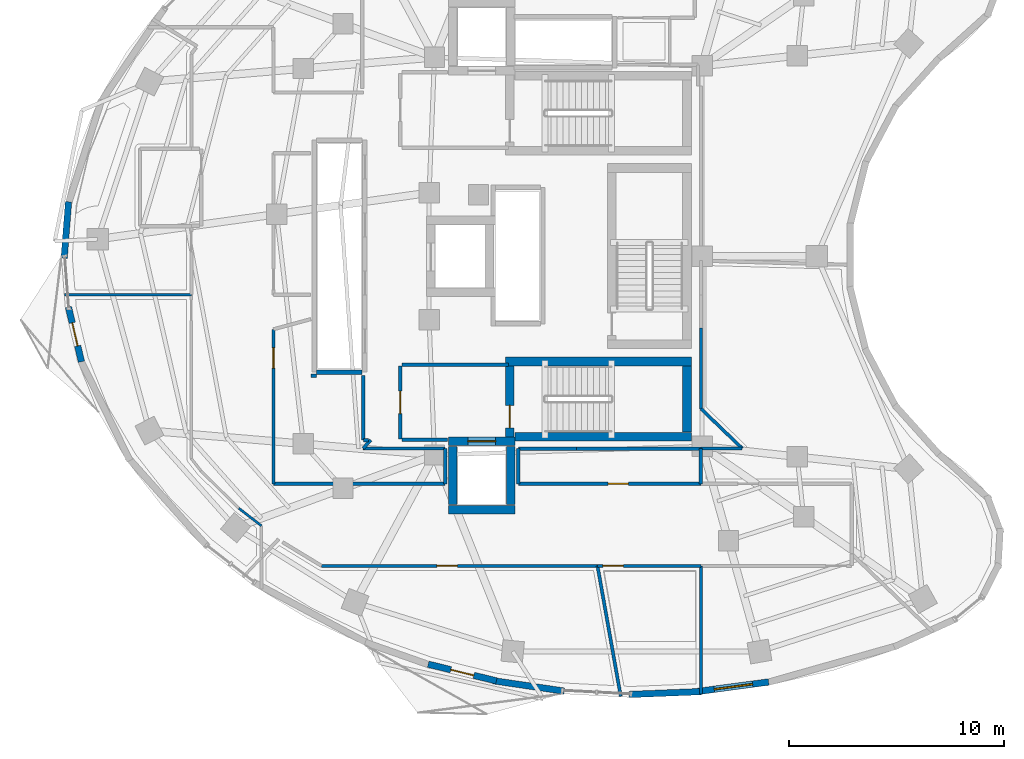
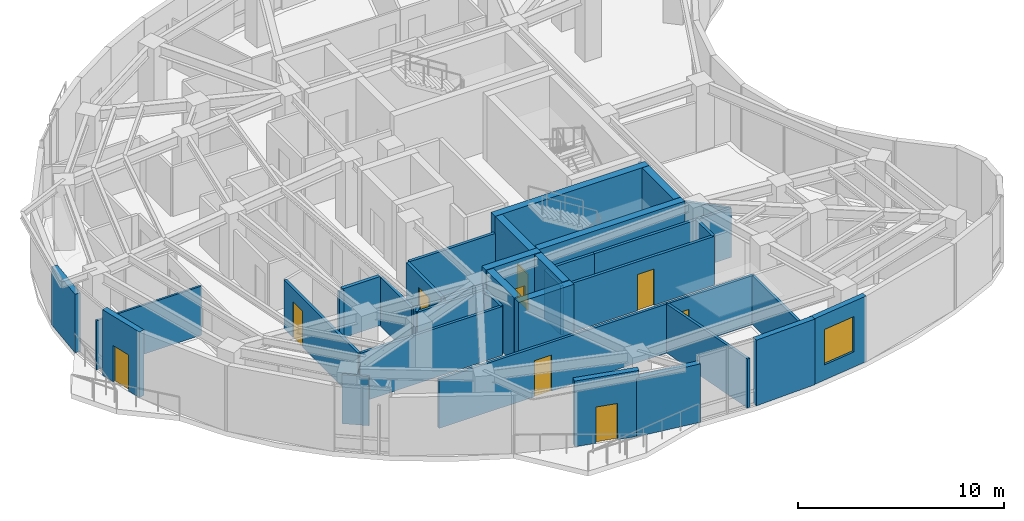
# One storey, part 7 of 13: 40 walls, 9 doors, 1 window, 10 openings.
"""IFC4 building model written with IfcOpenShell, lengths in metres."""

from ifc_helpers import new_model, si_unit, direction, frame, frame_2d, origin, place, context, subcontext, project, spatial, rectangle, extrude, material, layer, layer_set, type_object, element, fill, save


model = new_model("IFC4")

# Units and contexts
model_context = context("Model", 3, precision=1e-05, world=origin(), true_north=direction((0.0, 1.0)))
body_context = subcontext(model_context, "Body", "Model", "MODEL_VIEW")
ifc_project = project(units=[si_unit("LENGTHUNIT", "METRE"), si_unit("AREAUNIT", "SQUARE_METRE"), si_unit("VOLUMEUNIT", "CUBIC_METRE"), si_unit("PLANEANGLEUNIT", "RADIAN"), si_unit("MASSUNIT", "GRAM", prefix="KILO")], contexts=[model_context])

# Site, building, storey
site_placement = place(None, origin())
site = spatial("IfcSite", under=ifc_project, at=site_placement, CompositionType="ELEMENT")
building_placement = place(site_placement, origin())
building = spatial("IfcBuilding", under=site, at=building_placement, Name="Korentha Bioscience Tower", CompositionType="ELEMENT")
storey_placement = place(building_placement, frame((0.0, 0.0, 158.39990234375)))
storey = spatial("IfcBuildingStorey", under=building, at=storey_placement, Name="L36", CompositionType="ELEMENT", Elevation=158.39990234375)

# Wall, opening, door
ifc_material_1 = material(Name="Double-Stud Acoustic Gypsum", Category="gypsum")
ifc_layer_1 = layer(ifc_material_1, 0.14990234375, Name="Double-Stud Acoustic Gypsum")
ifc_layer_set_1 = layer_set([ifc_layer_1], Name="Double-Stud Acoustic Gypsum (IW-L150)")
wall_type_1 = type_object("IfcWallType", Name="Acoustic Laboratory Partition Wall 150", PredefinedType="PARTITIONING", material=ifc_layer_set_1)
wall_1_placement = place(storey_placement, frame((17.610107421875, 16.409912109375, 0.0), z_axis=(0.0, 0.0, 1.0), x_axis=(0.0, 1.0, 0.0)))
wall_1 = element("IfcWall", 1, at=wall_1_placement, inside=storey, type_object=wall_type_1, Name="L36 Research Colloquium Seminar Room 02 Entrance Wall", PredefinedType="PARTITIONING", context=body_context, shape_type="SweptSolid", body=[
    extrude(rectangle(XDim=7.18896484375, YDim=0.14990234375, at=frame_2d((3.594482421875, 0.0))), origin(), (0.0, 0.0, 1.0), 2.91015625),
])
opening_1_placement = place(wall_1_placement, frame((5.376953125, 0.0, 0.0)))
opening_1 = element("IfcOpeningElement", 2, at=opening_1_placement, cuts=wall_1, Name="Opening ID-10L", PredefinedType="OPENING", context=body_context, shape_type="SweptSolid", body=[
    extrude(rectangle(XDim=0.949951171875, YDim=2.14990234375, at=frame_2d((0.47509765625, 1.074951171875))), frame((0.0, 0.08984375, 0.0), z_axis=(0.0, -1.0, 0.0), x_axis=(1.0, 0.0, 0.0)), (0.0, 0.0, 1.0), 0.1796875),
])
ifc_material_2 = material(Name="Phenolic Laminate Timber Core", Category="wood")
door_type_1 = type_object("IfcDoorType", Name="Laboratory Single Leaf Door 950x2150 Left", OperationType="SINGLE_SWING_LEFT", PredefinedType="DOOR", material=ifc_material_2)
door_1_placement = place(opening_1_placement, origin())
door_1 = element("IfcDoor", 3, at=door_1_placement, inside=storey, type_object=door_type_1, Name="L36 Research Colloquium Seminar Room 02 Door", OperationType="SINGLE_SWING_LEFT", OverallHeight=2.14990234375, OverallWidth=0.949951171875, PredefinedType="DOOR", context=body_context, shape_type="SweptSolid", body=[
    extrude(rectangle(XDim=0.949951171875, YDim=2.14990234375, at=frame_2d((0.47509765625, 1.074951171875))), frame((0.0, 0.02490234375, 0.0), z_axis=(0.0, -1.0, 0.0), x_axis=(1.0, 0.0, 0.0)), (0.0, 0.0, 1.0), 0.050048828125),
])
fill(opening_1, door_1)

wall_2_placement = place(storey_placement, frame((19.849853515625, 12.590087890625, 0.0), z_axis=(0.0, 0.0, 1.0), x_axis=(1.0, 0.0, 0.0)))
wall_2 = element("IfcWall", 4, at=wall_2_placement, inside=storey, type_object=wall_type_1, Name="L36 Staff Pantry Kitchenette 03 Entrance Wall", PredefinedType="PARTITIONING", context=body_context, shape_type="SweptSolid", body=[
    extrude(rectangle(XDim=12.83544921875, YDim=0.14990234375, at=frame_2d((6.417724609375, 0.0))), origin(), (0.0, 0.0, 1.0), 2.91015625),
])
opening_2_placement = place(wall_2_placement, frame((5.365234375, 0.0, 0.0)))
opening_2 = element("IfcOpeningElement", 5, at=opening_2_placement, cuts=wall_2, Name="Opening ID-10R", PredefinedType="OPENING", context=body_context, shape_type="SweptSolid", body=[
    extrude(rectangle(XDim=0.949951171875, YDim=2.14990234375, at=frame_2d((0.47509765625, 1.074951171875))), frame((0.0, 0.08984375, 0.0), z_axis=(0.0, -1.0, 0.0), x_axis=(1.0, 0.0, 0.0)), (0.0, 0.0, 1.0), 0.1796875),
])
door_type_2 = type_object("IfcDoorType", Name="Laboratory Single Leaf Door 950x2150 Right", OperationType="SINGLE_SWING_RIGHT", PredefinedType="DOOR", material=ifc_material_2)
door_2_placement = place(opening_2_placement, origin())
door_2 = element("IfcDoor", 6, at=door_2_placement, inside=storey, type_object=door_type_2, Name="L36 Staff Pantry Kitchenette 03 Door", OperationType="SINGLE_SWING_RIGHT", OverallHeight=2.14990234375, OverallWidth=0.949951171875, PredefinedType="DOOR", context=body_context, shape_type="SweptSolid", body=[
    extrude(rectangle(XDim=0.949951171875, YDim=2.14990234375, at=frame_2d((0.47509765625, 1.074951171875))), frame((0.0, 0.02490234375, 0.0), z_axis=(0.0, -1.0, 0.0), x_axis=(1.0, 0.0, 0.0)), (0.0, 0.0, 1.0), 0.050048828125),
])
fill(opening_2, door_2)

# Walls
wall_3_placement = place(storey_placement, frame((19.35009765625, 21.43994140625, 0.0), z_axis=(0.0, 0.0, 1.0), x_axis=(1.0, 0.0, 0.0)))
element("IfcWall", 7, at=wall_3_placement, inside=storey, type_object=wall_type_1, Name="L36 Interior Partition 028", PredefinedType="PARTITIONING", context=body_context, shape_type="SweptSolid", body=[
    extrude(rectangle(XDim=0.27001953125, YDim=0.14990234375, at=frame_2d((0.135009765625, 0.0))), origin(), (0.0, 0.0, 1.0), 2.91015625),
])
wall_4_placement = place(storey_placement, frame((21.7900390625, 21.43994140625, 0.0), z_axis=(0.0, 0.0, 1.0), x_axis=(0.0, -1.0, 0.0)))
element("IfcWall", 8, at=wall_4_placement, inside=storey, type_object=wall_type_1, Name="L36 Interior Partition 029", PredefinedType="PARTITIONING", context=body_context, shape_type="SweptSolid", body=[
    extrude(rectangle(XDim=2.989990234375, YDim=0.14990234375, at=frame_2d((1.4951171875, 0.0))), origin(), (0.0, 0.0, 1.0), 2.91015625),
])
wall_5_placement = place(storey_placement, frame((21.800048828125, 18.43994140625, 0.0), z_axis=(0.0, 0.0, 1.0), x_axis=(1.0, 0.0, 0.0)))
element("IfcWall", 9, at=wall_5_placement, inside=storey, type_object=wall_type_1, Name="L36 Interior Partition 030", PredefinedType="PARTITIONING", context=body_context, shape_type="SweptSolid", body=[
    extrude(rectangle(XDim=0.228759765625, YDim=0.14990234375, at=frame_2d((0.1142578125, 0.0))), origin(), (0.0, 0.0, 1.0), 2.91015625),
])
wall_6_placement = place(storey_placement, frame((22.13525390625, 18.43994140625, 0.0), z_axis=(0.0, 0.0, 1.0), x_axis=(-0.68187219697, -0.731471330265, 0.0)))
element("IfcWall", 10, at=wall_6_placement, inside=storey, type_object=wall_type_1, Name="L36 Interior Partition 031", PredefinedType="PARTITIONING", context=body_context, shape_type="SweptSolid", body=[
    extrude(rectangle(XDim=0.526611328125, YDim=0.14990234375, at=frame_2d((0.26318359375, 0.0))), origin(), (0.0, 0.0, 1.0), 2.91015625),
])
wall_7_placement = place(storey_placement, frame((21.779052734375, 18.048095703125, 0.0), z_axis=(0.0, 0.0, 1.0), x_axis=(1.0, 0.0, 0.0)))
element("IfcWall", 11, at=wall_7_placement, inside=storey, type_object=wall_type_1, Name="L36 Interior Partition 032", PredefinedType="PARTITIONING", context=body_context, shape_type="SweptSolid", body=[
    extrude(rectangle(XDim=3.82080078125, YDim=0.14990234375, at=frame_2d((1.910400390625, 0.0))), origin(), (0.0, 0.0, 1.0), 2.91015625),
])
wall_8_placement = place(storey_placement, frame((25.60009765625, 18.0478515625, 0.0), z_axis=(0.0, 0.0, 1.0), x_axis=(0.0, -1.0, 0.0)))
element("IfcWall", 12, at=wall_8_placement, inside=storey, type_object=wall_type_1, Name="L36 Interior Partition 033", PredefinedType="PARTITIONING", context=body_context, shape_type="SweptSolid", body=[
    extrude(rectangle(XDim=1.637939453125, YDim=0.14990234375, at=frame_2d((0.81884765625, 0.0))), origin(), (0.0, 0.0, 1.0), 2.91015625),
])
wall_9_placement = place(storey_placement, frame((25.60009765625, 16.409912109375, 0.0), z_axis=(0.0, 0.0, 1.0), x_axis=(-1.0, 0.0, 0.0)))
element("IfcWall", 13, at=wall_9_placement, inside=storey, type_object=wall_type_1, Name="L36 Interior Partition 034", PredefinedType="PARTITIONING", context=body_context, shape_type="SweptSolid", body=[
    extrude(rectangle(XDim=7.989990234375, YDim=0.14990234375, at=frame_2d((3.9951171875, 0.0))), origin(), (0.0, 0.0, 1.0), 2.91015625),
])
wall_10_placement = place(storey_placement, frame((32.685302734375, 12.590087890625, 0.0), z_axis=(0.0, 0.0, 1.0), x_axis=(0.175350659772, -0.984506041687, 0.0)))
element("IfcWall", 14, at=wall_10_placement, inside=storey, type_object=wall_type_1, Name="L36 Interior Partition 037", PredefinedType="PARTITIONING", context=body_context, shape_type="SweptSolid", body=[
    extrude(rectangle(XDim=6.1650390625, YDim=0.14990234375, at=frame_2d((3.08251953125, 0.0))), origin(), (0.0, 0.0, 1.0), 2.91015625),
])
wall_11_placement = place(storey_placement, frame((37.508056640625, 18.048095703125, 0.0), z_axis=(0.0, 0.0, 1.0), x_axis=(1.0, 0.0, 0.0)))
element("IfcWall", 15, at=wall_11_placement, inside=storey, type_object=wall_type_1, Name="L36 Interior Partition 049", PredefinedType="PARTITIONING", context=body_context, shape_type="SweptSolid", body=[
    extrude(rectangle(XDim=1.907958984375, YDim=0.14990234375, at=frame_2d((0.9541015625, 0.0))), origin(), (0.0, 0.0, 1.0), 2.91015625),
])
wall_12_placement = place(storey_placement, frame((39.418701171875, 18.054931640625, 0.0), z_axis=(0.0, 0.0, 1.0), x_axis=(-0.720561375154, 0.693391162791, 0.0)))
element("IfcWall", 16, at=wall_12_placement, inside=storey, type_object=wall_type_1, Name="L36 Interior Partition 050", PredefinedType="PARTITIONING", context=body_context, shape_type="SweptSolid", body=[
    extrude(rectangle(XDim=2.65966796875, YDim=0.14990234375, at=frame_2d((1.329833984375, 0.0))), origin(), (0.0, 0.0, 1.0), 2.91015625),
])
wall_13_placement = place(storey_placement, frame((37.501953125, 19.8994140625, 0.0), z_axis=(0.0, 0.0, 1.0), x_axis=(0.0, 1.0, 0.0)))
element("IfcWall", 17, at=wall_13_placement, inside=storey, type_object=wall_type_1, Name="L36 Interior Partition 051", PredefinedType="PARTITIONING", context=body_context, shape_type="SweptSolid", body=[
    extrude(rectangle(XDim=3.74853515625, YDim=0.14990234375, at=frame_2d((1.874267578125, 0.0))), origin(), (0.0, 0.0, 1.0), 2.91015625),
])

# Wall, opening, door
ifc_material_3 = material(Name="Insulated Aluminium Honeycomb Panel", Category="aluminium")
ifc_layer_2 = layer(ifc_material_3, 0.139892578125, Name="Insulated Aluminium Honeycomb Panel")
ifc_layer_set_2 = layer_set([ifc_layer_2], Name="Insulated Aluminium Honeycomb Panel (IW-F60)")
wall_type_2 = type_object("IfcWallType", Name="Cleanroom Flush Metal Panel Partition 140", PredefinedType="PARTITIONING", material=ifc_layer_set_2)
wall_14_placement = place(storey_placement, frame((32.6953125, 12.590087890625, 0.0), z_axis=(0.0, 0.0, 1.0), x_axis=(1.0, 0.0, 0.0)))
wall_14 = element("IfcWall", 18, at=wall_14_placement, inside=storey, type_object=wall_type_2, Name="L36 Airlock Gowning Anteroom 05 Entrance Wall", PredefinedType="PARTITIONING", context=body_context, shape_type="SweptSolid", body=[
    extrude(rectangle(XDim=4.802734375, YDim=0.139892578125, at=frame_2d((2.4013671875, 0.0))), origin(), (0.0, 0.0, 1.0), 2.91015625),
])
opening_3_placement = place(wall_14_placement, frame((0.239990234375, 0.0, 0.0)))
opening_3 = element("IfcOpeningElement", 19, at=opening_3_placement, cuts=wall_14, Name="Opening ID-10R", PredefinedType="OPENING", context=body_context, shape_type="SweptSolid", body=[
    extrude(rectangle(XDim=0.949951171875, YDim=2.14990234375, at=frame_2d((0.47509765625, 1.074951171875))), frame((0.0, 0.0849609375, 0.0), z_axis=(0.0, -1.0, 0.0), x_axis=(1.0, 0.0, 0.0)), (0.0, 0.0, 1.0), 0.169677734375),
])
door_3_placement = place(opening_3_placement, origin())
door_3 = element("IfcDoor", 20, at=door_3_placement, inside=storey, type_object=door_type_2, Name="L36 Airlock Gowning Anteroom 05 Door", OperationType="SINGLE_SWING_RIGHT", OverallHeight=2.14990234375, OverallWidth=0.949951171875, PredefinedType="DOOR", context=body_context, shape_type="SweptSolid", body=[
    extrude(rectangle(XDim=0.949951171875, YDim=2.14990234375, at=frame_2d((0.47509765625, 1.074951171875))), frame((0.0, 0.02490234375, 0.0), z_axis=(0.0, -1.0, 0.0), x_axis=(1.0, 0.0, 0.0)), (0.0, 0.0, 1.0), 0.050048828125),
])
fill(opening_3, door_3)

# Walls
wall_15_placement = place(storey_placement, frame((37.498046875, 12.590087890625, 0.0), z_axis=(0.0, 0.0, 1.0), x_axis=(0.0, -1.0, 0.0)))
element("IfcWall", 21, at=wall_15_placement, inside=storey, type_object=wall_type_2, Name="L36 Interior Partition 044", PredefinedType="PARTITIONING", context=body_context, shape_type="SweptSolid", body=[
    extrude(rectangle(XDim=5.962890625, YDim=0.139892578125, at=frame_2d((2.9814453125, 0.0))), origin(), (0.0, 0.0, 1.0), 2.91015625),
])
ifc_material_4 = material(Name="Fire-Rated Framed Glass", Category="glass")
ifc_layer_3 = layer(ifc_material_4, 0.110107421875, Name="Fire-Rated Framed Glass")
ifc_layer_set_3 = layer_set([ifc_layer_3], Name="Fire-Rated Framed Glass (IW-G110)")
wall_type_3 = type_object("IfcWallType", Name="Demountable Glazed Office Partition 110", PredefinedType="MOVABLE", material=ifc_layer_set_3)
wall_16_placement = place(storey_placement, frame((7.89794921875, 25.197998046875, 0.0), z_axis=(0.0, 0.0, 1.0), x_axis=(1.0, 0.0, 0.0)))
element("IfcWall", 22, at=wall_16_placement, inside=storey, type_object=wall_type_3, Name="L36 Interior Partition 022", PredefinedType="MOVABLE", context=body_context, shape_type="SweptSolid", body=[
    extrude(rectangle(XDim=5.89208984375, YDim=0.110107421875, at=frame_2d((2.946044921875, 0.0))), origin(), (0.0, 0.0, 1.0), 2.91015625),
])
wall_17_placement = place(storey_placement, frame((15.99462890625, 15.27099609375, 0.0), z_axis=(0.0, 0.0, 1.0), x_axis=(0.790603531082, -0.612328389543, 0.0)))
element("IfcWall", 23, at=wall_17_placement, inside=storey, type_object=wall_type_3, Name="L36 Interior Partition 025", PredefinedType="MOVABLE", context=body_context, shape_type="SweptSolid", body=[
    extrude(rectangle(XDim=1.33251953125, YDim=0.110107421875, at=frame_2d((0.666259765625, 0.0))), origin(), (0.0, 0.0, 1.0), 2.91015625),
])

# Wall, opening, door
ifc_material_5 = material(Name="Gypsum-Clad Steel Stud", Category="steel")
ifc_layer_4 = layer(ifc_material_5, 0.159912109375, Name="Gypsum-Clad Steel Stud")
ifc_layer_set_4 = layer_set([ifc_layer_4], Name="Gypsum-Clad Steel Stud (IW-C160)")
wall_type_4 = type_object("IfcWallType", Name="Fire-Rated Corridor Partition Wall 160", PredefinedType="PARTITIONING", material=ifc_layer_set_4)
wall_18_placement = place(storey_placement, frame((23.5, 18.5, 0.0), z_axis=(0.0, 0.0, 1.0), x_axis=(0.0, 1.0, 0.0)))
wall_18 = element("IfcWall", 24, at=wall_18_placement, inside=storey, type_object=wall_type_4, Name="L36 FFLS-CW Rated Enclosure Wall", PredefinedType="PARTITIONING", context=body_context, shape_type="SweptSolid", body=[
    extrude(rectangle(XDim=3.39990234375, YDim=0.159912109375, at=frame_2d((1.699951171875, 0.0))), origin(), (0.0, 0.0, 1.0), 2.91015625),
])
opening_4_placement = place(wall_18_placement, frame((1.175048828125, 0.0, 0.0)))
opening_4 = element("IfcOpeningElement", 25, at=opening_4_placement, cuts=wall_18, Name="Opening FD-90R", PredefinedType="OPENING", context=body_context, shape_type="SweptSolid", body=[
    extrude(rectangle(XDim=1.050048828125, YDim=2.14990234375, at=frame_2d((0.52490234375, 1.074951171875))), frame((0.0, 0.0947265625, 0.0), z_axis=(0.0, -1.0, 0.0), x_axis=(1.0, 0.0, 0.0)), (0.0, 0.0, 1.0), 0.189697265625),
])
ifc_material_6 = material(Name="Powder-Coated Fire-Rated Steel", Category="steel")
door_type_3 = type_object("IfcDoorType", Name="Stairwell Fire Exit Door 1050x2150 Right", OperationType="SINGLE_SWING_RIGHT", PredefinedType="DOOR", material=ifc_material_6)
door_4_placement = place(opening_4_placement, origin())
door_4 = element("IfcDoor", 26, at=door_4_placement, inside=storey, type_object=door_type_3, Name="L36 South Firefighting Lobby Door", OperationType="SINGLE_SWING_RIGHT", OverallHeight=2.14990234375, OverallWidth=1.050048828125, PredefinedType="DOOR", context=body_context, shape_type="SweptSolid", body=[
    extrude(rectangle(XDim=1.050048828125, YDim=2.14990234375, at=frame_2d((0.52490234375, 1.074951171875))), frame((0.0, 0.02490234375, 0.0), z_axis=(0.0, -1.0, 0.0), x_axis=(1.0, 0.0, 0.0)), (0.0, 0.0, 1.0), 0.050048828125),
])
fill(opening_4, door_4)

# Walls
wall_19_placement = place(storey_placement, frame((23.580078125, 21.949951171875, 0.0), z_axis=(0.0, 0.0, 1.0), x_axis=(1.0, 0.0, 0.0)))
element("IfcWall", 27, at=wall_19_placement, inside=storey, type_object=wall_type_4, Name="L36 Firefighting Lobby Return Wall FFLS-N", PredefinedType="PARTITIONING", context=body_context, shape_type="SweptSolid", body=[
    extrude(rectangle(XDim=4.969970703125, YDim=0.159912109375, at=frame_2d((2.48486328125, 0.0))), origin(), (0.0, 0.0, 1.0), 2.91015625),
])
wall_20_placement = place(storey_placement, frame((23.580078125, 18.449951171875, 0.0), z_axis=(0.0, 0.0, 1.0), x_axis=(1.0, 0.0, 0.0)))
element("IfcWall", 28, at=wall_20_placement, inside=storey, type_object=wall_type_4, Name="L36 Firefighting Lobby Return Wall FFLS-S", PredefinedType="PARTITIONING", context=body_context, shape_type="SweptSolid", body=[
    extrude(rectangle(XDim=2.119873046875, YDim=0.159912109375, at=frame_2d((1.06005859375, 0.0))), origin(), (0.0, 0.0, 1.0), 2.91015625),
])

# Wall, opening, door
wall_21_placement = place(storey_placement, frame((37.498046875, 16.409912109375, 0.0), z_axis=(0.0, 0.0, 1.0), x_axis=(-1.0, 0.0, 0.0)))
wall_21 = element("IfcWall", 29, at=wall_21_placement, inside=storey, type_object=wall_type_4, Name="L36 Biospecimen Archive Store 04 Entrance Wall", PredefinedType="PARTITIONING", context=body_context, shape_type="SweptSolid", body=[
    extrude(rectangle(XDim=8.498046875, YDim=0.159912109375, at=frame_2d((4.2490234375, 0.0))), origin(), (0.0, 0.0, 1.0), 2.91015625),
])
opening_5_placement = place(wall_21_placement, frame((3.371826171875, 0.0, 0.0)))
opening_5 = element("IfcOpeningElement", 30, at=opening_5_placement, cuts=wall_21, Name="Opening ID-10L", PredefinedType="OPENING", context=body_context, shape_type="SweptSolid", body=[
    extrude(rectangle(XDim=0.949951171875, YDim=2.14990234375, at=frame_2d((0.47509765625, 1.074951171875))), frame((0.0, 0.0947265625, 0.0), z_axis=(0.0, -1.0, 0.0), x_axis=(1.0, 0.0, 0.0)), (0.0, 0.0, 1.0), 0.189697265625),
])
door_5_placement = place(opening_5_placement, origin())
door_5 = element("IfcDoor", 31, at=door_5_placement, inside=storey, type_object=door_type_1, Name="L36 Biospecimen Archive Store 04 Door", OperationType="SINGLE_SWING_LEFT", OverallHeight=2.14990234375, OverallWidth=0.949951171875, PredefinedType="DOOR", context=body_context, shape_type="SweptSolid", body=[
    extrude(rectangle(XDim=0.949951171875, YDim=2.14990234375, at=frame_2d((0.47509765625, 1.074951171875))), frame((0.0, 0.02490234375, 0.0), z_axis=(0.0, -1.0, 0.0), x_axis=(1.0, 0.0, 0.0)), (0.0, 0.0, 1.0), 0.050048828125),
])
fill(opening_5, door_5)

# Walls
wall_22_placement = place(storey_placement, frame((29.0, 18.048095703125, 0.0), z_axis=(0.0, 0.0, 1.0), x_axis=(1.0, 0.0, 0.0)))
element("IfcWall", 32, at=wall_22_placement, inside=storey, type_object=wall_type_4, Name="L36 Interior Partition 040", PredefinedType="PARTITIONING", context=body_context, shape_type="SweptSolid", body=[
    extrude(rectangle(XDim=2.712890625, YDim=0.159912109375, at=frame_2d((1.3564453125, 0.0))), origin(), (0.0, 0.0, 1.0), 2.91015625),
])
wall_23_placement = place(storey_placement, frame((31.717041015625, 18.048095703125, 0.0), z_axis=(0.0, 0.0, 1.0), x_axis=(1.0, 0.0, 0.0)))
element("IfcWall", 33, at=wall_23_placement, inside=storey, type_object=wall_type_4, Name="L36 Interior Partition 041", PredefinedType="PARTITIONING", context=body_context, shape_type="SweptSolid", body=[
    extrude(rectangle(XDim=5.78076171875, YDim=0.159912109375, at=frame_2d((2.890380859375, 0.0))), origin(), (0.0, 0.0, 1.0), 2.91015625),
])
for number, where, z_axis, x_axis, name in (
    (34, (37.498046875, 18.0478515625, 0.0), (0.0, 0.0, 1.0), (0.0, -1.0, 0.0), "L36 Interior Partition 042"),
    (35, (29.0, 16.409912109375, 0.0), (0.0, 0.0, 1.0), (0.0, 1.0, 0.0), "L36 Interior Partition 043"),
):
    element("IfcWall", number, at=place(storey_placement, frame(where, z_axis=z_axis, x_axis=x_axis)), inside=storey, type_object=wall_type_4, Name=name, PredefinedType="PARTITIONING", context=body_context, shape_type="SweptSolid", body=[
        extrude(rectangle(XDim=1.637939453125, YDim=0.159912109375, at=frame_2d((0.81884765625, 0.0))), origin(), (0.0, 0.0, 1.0), 2.91015625),
    ])

# Wall, opening, door
ifc_material_7 = material(Name="Honed Limestone Precast Concrete C40", Category="masonry")
ifc_layer_5 = layer(ifc_material_7, 0.300048828125, Name="Honed Limestone Precast Concrete C40")
ifc_layer_set_5 = layer_set([ifc_layer_5], Name="Honed Limestone Precast Concrete C40 (EW-ST300)")
wall_type_5 = type_object("IfcWallType", Name="Honed Limestone Cavity Spandrel Wall 300", PredefinedType="STANDARD", material=ifc_layer_set_5)
wall_24_placement = place(storey_placement, frame((8.07080078125, 24.632568359375, 0.0), z_axis=(0.0, 0.0, 1.0), x_axis=(0.230740941285, -0.973015219827, 0.0)))
wall_24 = element("IfcWall", 36, at=wall_24_placement, inside=storey, type_object=wall_type_5, Name="L36 Balcony Threshold Wall 02", PredefinedType="STANDARD", context=body_context, shape_type="SweptSolid", body=[
    extrude(rectangle(XDim=2.614501953125, YDim=0.300048828125, at=frame_2d((1.30712890625, 0.0))), origin(), (0.0, 0.0, 1.0), 3.900146484375),
])
opening_6_placement = place(wall_24_placement, frame((0.757080078125, 0.0, 0.0)))
opening_6 = element("IfcOpeningElement", 37, at=opening_6_placement, cuts=wall_24, Name="Opening BD-11R", PredefinedType="OPENING", context=body_context, shape_type="SweptSolid", body=[
    extrude(rectangle(XDim=1.10009765625, YDim=2.14990234375, at=frame_2d((0.550048828125, 1.074951171875))), frame((0.0, 0.1650390625, 0.0), z_axis=(0.0, -1.0, 0.0), x_axis=(1.0, 0.0, 0.0)), (0.0, 0.0, 1.0), 0.329833984375),
])
ifc_material_8 = material(Name="Thermally Broken Glazed Aluminium", Category="aluminium")
door_type_4 = type_object("IfcDoorType", Name="Balcony Terrace Glazed Door 1100x2150 Right", OperationType="SINGLE_SWING_RIGHT", PredefinedType="DOOR", material=ifc_material_8)
door_6_placement = place(opening_6_placement, origin())
door_6 = element("IfcDoor", 38, at=door_6_placement, inside=storey, type_object=door_type_4, Name="L36 Balcony Access Door 02", OperationType="SINGLE_SWING_RIGHT", OverallHeight=2.14990234375, OverallWidth=1.10009765625, PredefinedType="DOOR", context=body_context, shape_type="SweptSolid", body=[
    extrude(rectangle(XDim=1.10009765625, YDim=2.14990234375, at=frame_2d((0.550048828125, 1.074951171875))), frame((0.0, 0.02490234375, 0.0), z_axis=(0.0, -1.0, 0.0), x_axis=(1.0, 0.0, 0.0)), (0.0, 0.0, 1.0), 0.050048828125),
])
fill(opening_6, door_6)

wall_25_placement = place(storey_placement, frame((24.806640625, 8.015625, 0.0), z_axis=(0.0, 0.0, 1.0), x_axis=(0.971312804689, -0.237805457142, 0.0)))
wall_25 = element("IfcWall", 39, at=wall_25_placement, inside=storey, type_object=wall_type_5, Name="L36 Balcony Threshold Wall 03", PredefinedType="STANDARD", context=body_context, shape_type="SweptSolid", body=[
    extrude(rectangle(XDim=3.268798828125, YDim=0.300048828125, at=frame_2d((1.63427734375, 0.0))), origin(), (0.0, 0.0, 1.0), 3.900146484375),
])
opening_7_placement = place(wall_25_placement, frame((1.08447265625, 0.0, 0.0)))
opening_7 = element("IfcOpeningElement", 40, at=opening_7_placement, cuts=wall_25, Name="Opening BD-11L", PredefinedType="OPENING", context=body_context, shape_type="SweptSolid", body=[
    extrude(rectangle(XDim=1.10009765625, YDim=2.14990234375, at=frame_2d((0.550048828125, 1.074951171875))), frame((0.0, 0.1650390625, 0.0), z_axis=(0.0, -1.0, 0.0), x_axis=(1.0, 0.0, 0.0)), (0.0, 0.0, 1.0), 0.329833984375),
])
door_type_5 = type_object("IfcDoorType", Name="Balcony Terrace Glazed Door 1100x2150 Left", OperationType="SINGLE_SWING_LEFT", PredefinedType="DOOR", material=ifc_material_8)
door_7_placement = place(opening_7_placement, origin())
door_7 = element("IfcDoor", 41, at=door_7_placement, inside=storey, type_object=door_type_5, Name="L36 Balcony Access Door 03", OperationType="SINGLE_SWING_LEFT", OverallHeight=2.14990234375, OverallWidth=1.10009765625, PredefinedType="DOOR", context=body_context, shape_type="SweptSolid", body=[
    extrude(rectangle(XDim=1.10009765625, YDim=2.14990234375, at=frame_2d((0.550048828125, 1.074951171875))), frame((0.0, 0.02490234375, 0.0), z_axis=(0.0, -1.0, 0.0), x_axis=(1.0, 0.0, 0.0)), (0.0, 0.0, 1.0), 0.050048828125),
])
fill(opening_7, door_7)

# Wall, opening, window
wall_26_placement = place(storey_placement, frame((37.365478515625, 6.748291015625, 0.0), z_axis=(0.0, 0.0, 1.0), x_axis=(0.991139436205, 0.132825517122, 0.0)))
wall_26 = element("IfcWall", 42, at=wall_26_placement, inside=storey, type_object=wall_type_5, Name="L36 Honed Limestone Spandrel Wall 33", PredefinedType="STANDARD", context=body_context, shape_type="SweptSolid", body=[
    extrude(rectangle(XDim=3.310302734375, YDim=0.300048828125, at=frame_2d((1.6552734375, 0.0))), origin(), (0.0, 0.0, 1.0), 3.900146484375),
])
opening_8_placement = place(wall_26_placement, frame((0.755126953125, 0.0, 0.89990234375)))
opening_8 = element("IfcOpeningElement", 43, at=opening_8_placement, cuts=wall_26, Name="Opening WN-01", PredefinedType="OPENING", context=body_context, shape_type="SweptSolid", body=[
    extrude(rectangle(XDim=1.800048828125, YDim=2.10009765625, at=frame_2d((0.89990234375, 1.050048828125))), frame((0.0, 0.1650390625, 0.0), z_axis=(0.0, -1.0, 0.0), x_axis=(1.0, 0.0, 0.0)), (0.0, 0.0, 1.0), 0.329833984375),
])
ifc_material_9 = material(Name="Thermally Broken Aluminium Triple Glazing", Category="aluminium")
window_type = type_object("IfcWindowType", Name="Triple-Glazed Fixed Bioscience Window 1800x2100", PartitioningType="SINGLE_PANEL", PredefinedType="WINDOW", material=ifc_material_9)
window_placement = place(opening_8_placement, origin())
window = element("IfcWindow", 44, at=window_placement, inside=storey, type_object=window_type, Name="L36 Facade Window 33", OverallHeight=2.10009765625, OverallWidth=1.800048828125, PartitioningType="SINGLE_PANEL", PredefinedType="WINDOW", context=body_context, shape_type="SweptSolid", body=[
    extrude(rectangle(XDim=1.800048828125, YDim=2.10009765625, at=frame_2d((0.89990234375, 1.050048828125))), frame((0.0, 0.030029296875, 0.0), z_axis=(0.0, -1.0, 0.0), x_axis=(1.0, 0.0, 0.0)), (0.0, 0.0, 1.0), 0.06005859375),
])
fill(opening_8, window)

# Walls
wall_27_placement = place(storey_placement, frame((8.07470703125, 29.531494140625, 0.0), z_axis=(0.0, 0.0, 1.0), x_axis=(-0.078059201014, -0.99694872543, 0.0)))
element("IfcWall", 45, at=wall_27_placement, inside=storey, type_object=wall_type_5, Name="L36 Limestone Perimeter Closure Wall 18", PredefinedType="STANDARD", context=body_context, shape_type="SweptSolid", body=[
    extrude(rectangle(XDim=2.63037109375, YDim=0.300048828125, at=frame_2d((1.315185546875, 0.0))), origin(), (0.0, 0.0, 1.0), 3.47021484375),
])
wall_28_placement = place(storey_placement, frame((27.826416015625, 7.247314453125, 0.0), z_axis=(0.0, 0.0, 1.0), x_axis=(0.98945927954, -0.144811374319, 0.0)))
element("IfcWall", 46, at=wall_28_placement, inside=storey, type_object=wall_type_5, Name="L36 Limestone Perimeter Closure Wall 30", PredefinedType="STANDARD", context=body_context, shape_type="SweptSolid", body=[
    extrude(rectangle(XDim=3.346435546875, YDim=0.300048828125, at=frame_2d((1.67333984375, 0.0))), origin(), (0.0, 0.0, 1.0), 3.47021484375),
])
wall_29_placement = place(storey_placement, frame((34.1552734375, 6.605224609375, 0.0), z_axis=(0.0, 0.0, 1.0), x_axis=(0.999190386434, 0.040231475948, 0.0)))
element("IfcWall", 47, at=wall_29_placement, inside=storey, type_object=wall_type_5, Name="L36 Limestone Perimeter Closure Wall 32", PredefinedType="STANDARD", context=body_context, shape_type="SweptSolid", body=[
    extrude(rectangle(XDim=3.367919921875, YDim=0.300048828125, at=frame_2d((1.68408203125, 0.0))), origin(), (0.0, 0.0, 1.0), 3.900146484375),
])
ifc_material_10 = material(Name="Autoclaved Aerated Concrete Block C25", Category="concrete")
ifc_layer_6 = layer(ifc_material_10, 0.199951171875, Name="Autoclaved Aerated Concrete Block C25")
ifc_layer_set_6 = layer_set([ifc_layer_6], Name="Autoclaved Aerated Concrete Block C25 (IW-S200)")
wall_type_6 = type_object("IfcWallType", Name="Lift and Riser Shaft Enclosure Wall 200", PredefinedType="PARTITIONING", material=ifc_layer_set_6)
wall_30_placement = place(storey_placement, frame((19.6201171875, 21.60009765625, 0.0), z_axis=(0.0, 0.0, 1.0), x_axis=(1.0, 0.0, 0.0)))
element("IfcWall", 48, at=wall_30_placement, inside=storey, type_object=wall_type_6, Name="L36 Lift Bank MID Shaft Wall -Y", PredefinedType="PARTITIONING", context=body_context, shape_type="SweptSolid", body=[
    extrude(rectangle(XDim=2.10986328125, YDim=0.199951171875, at=frame_2d((1.054931640625, 0.0))), origin(), (0.0, 0.0, 1.0), 2.91015625),
])
ifc_material_11 = material(Name="Concrete C65", Category="concrete")
ifc_layer_7 = layer(ifc_material_11, 0.39990234375, Name="Concrete C65")
ifc_layer_set_7 = layer_set([ifc_layer_7], Name="Concrete C65 (CW-C65)")
wall_type_7 = type_object("IfcWallType", Name="Mid-Rise Core Shear Wall 400", PredefinedType="SHEAR", material=ifc_layer_set_7)
wall_31_placement = place(storey_placement, frame((28.85205078125, 18.60009765625, 0.0), z_axis=(0.0, 0.0, 1.0), x_axis=(1.0, 0.0, 0.0)))
element("IfcWall", 49, at=wall_31_placement, inside=storey, type_object=wall_type_7, Name="L36 Core Shear Wall ST2-S", PredefinedType="SHEAR", context=body_context, shape_type="SweptSolid", body=[
    extrude(rectangle(XDim=8.197998046875, YDim=0.39990234375, at=frame_2d((4.09912109375, 0.0))), origin(), (0.0, 0.0, 1.0), 3.900146484375),
])
wall_32_placement = place(storey_placement, frame((28.39990234375, 22.10009765625, 0.0), z_axis=(0.0, 0.0, 1.0), x_axis=(1.0, 0.0, 0.0)))
element("IfcWall", 50, at=wall_32_placement, inside=storey, type_object=wall_type_7, Name="L36 Core Shear Wall ST2-N", PredefinedType="SHEAR", context=body_context, shape_type="SweptSolid", body=[
    extrude(rectangle(XDim=8.650146484375, YDim=0.39990234375, at=frame_2d((4.3251953125, 0.0))), origin(), (0.0, 0.0, 1.0), 3.900146484375),
])
wall_33_placement = place(storey_placement, frame((36.85009765625, 18.81005859375, 0.0), z_axis=(0.0, 0.0, 1.0), x_axis=(0.0, 1.0, 0.0)))
element("IfcWall", 51, at=wall_33_placement, inside=storey, type_object=wall_type_7, Name="L36 Core Shear Wall ST2-E", PredefinedType="SHEAR", context=body_context, shape_type="SweptSolid", body=[
    extrude(rectangle(XDim=3.079833984375, YDim=0.39990234375, at=frame_2d((1.5400390625, 0.0))), origin(), (0.0, 0.0, 1.0), 3.900146484375),
])

# Wall, opening, door
wall_34_placement = place(storey_placement, frame((28.60009765625, 18.58203125, 0.0), z_axis=(0.0, 0.0, 1.0), x_axis=(0.0, 1.0, 0.0)))
wall_34 = element("IfcWall", 52, at=wall_34_placement, inside=storey, type_object=wall_type_7, Name="L36 Core Shear Wall ST2-W", PredefinedType="SHEAR", context=body_context, shape_type="SweptSolid", body=[
    extrude(rectangle(XDim=3.307861328125, YDim=0.39990234375, at=frame_2d((1.65380859375, 0.0))), origin(), (0.0, 0.0, 1.0), 3.900146484375),
])
opening_9_placement = place(wall_34_placement, frame((0.427978515625, 0.0, 0.0)))
opening_9 = element("IfcOpeningElement", 53, at=opening_9_placement, cuts=wall_34, Name="Opening FD-90R", PredefinedType="OPENING", context=body_context, shape_type="SweptSolid", body=[
    extrude(rectangle(XDim=1.050048828125, YDim=2.14990234375, at=frame_2d((0.52490234375, 1.074951171875))), frame((0.0, 0.21484375, 0.0), z_axis=(0.0, -1.0, 0.0), x_axis=(1.0, 0.0, 0.0)), (0.0, 0.0, 1.0), 0.4296875),
])
door_8_placement = place(opening_9_placement, origin())
door_8 = element("IfcDoor", 54, at=door_8_placement, inside=storey, type_object=door_type_3, Name="L36 ST-2 Fire Exit Stair Door", OperationType="SINGLE_SWING_RIGHT", OverallHeight=2.14990234375, OverallWidth=1.050048828125, PredefinedType="DOOR", context=body_context, shape_type="SweptSolid", body=[
    extrude(rectangle(XDim=1.050048828125, YDim=2.14990234375, at=frame_2d((0.52490234375, 1.074951171875))), frame((0.0, 0.02490234375, 0.0), z_axis=(0.0, -1.0, 0.0), x_axis=(1.0, 0.0, 0.0)), (0.0, 0.0, 1.0), 0.050048828125),
])
fill(opening_9, door_8)

# Wall
wall_35_placement = place(storey_placement, frame((25.75, 15.199951171875, 0.0), z_axis=(0.0, 0.0, 1.0), x_axis=(1.0, 0.0, 0.0)))
element("IfcWall", 55, at=wall_35_placement, inside=storey, type_object=wall_type_7, Name="L36 Core Shear Wall FFL1-S", PredefinedType="SHEAR", context=body_context, shape_type="SweptSolid", body=[
    extrude(rectangle(XDim=3.10009765625, YDim=0.39990234375, at=frame_2d((1.550048828125, 0.0))), origin(), (0.0, 0.0, 1.0), 3.900146484375),
])

# Wall, opening, door
wall_36_placement = place(storey_placement, frame((25.75, 18.3798828125, 0.0), z_axis=(0.0, 0.0, 1.0), x_axis=(1.0, 0.0, 0.0)))
wall_36 = element("IfcWall", 56, at=wall_36_placement, inside=storey, type_object=wall_type_7, Name="L36 Core Shear Wall FFL1-N", PredefinedType="SHEAR", context=body_context, shape_type="SweptSolid", body=[
    extrude(rectangle(XDim=3.10009765625, YDim=0.39990234375, at=frame_2d((1.550048828125, 0.0))), origin(), (0.0, 0.0, 1.0), 3.900146484375),
])
opening_10_placement = place(wall_36_placement, frame((0.89990234375, 0.0, 0.0)))
opening_10 = element("IfcOpeningElement", 57, at=opening_10_placement, cuts=wall_36, Name="Opening LD-13", PredefinedType="OPENING", context=body_context, shape_type="SweptSolid", body=[
    extrude(rectangle(XDim=1.300048828125, YDim=2.199951171875, at=frame_2d((0.64990234375, 1.10009765625))), frame((0.0, 0.21484375, 0.0), z_axis=(0.0, -1.0, 0.0), x_axis=(1.0, 0.0, 0.0)), (0.0, 0.0, 1.0), 0.4296875),
])
ifc_material_12 = material(Name="Brushed Stainless Steel 316", Category="steel")
door_type_6 = type_object("IfcDoorType", Name="Service & Firefighting Lift Landing Door 1300x2300", OperationType="DOUBLE_DOOR_SLIDING", PredefinedType="DOOR", material=ifc_material_12)
door_9_placement = place(opening_10_placement, origin())
door_9 = element("IfcDoor", 58, at=door_9_placement, inside=storey, type_object=door_type_6, Name="L36 FFL-1 Sliding Lift Landing Door", OperationType="DOUBLE_DOOR_SLIDING", OverallHeight=2.199951171875, OverallWidth=1.300048828125, PredefinedType="DOOR", context=body_context, shape_type="SweptSolid", body=[
    extrude(rectangle(XDim=1.300048828125, YDim=2.199951171875, at=frame_2d((0.64990234375, 1.10009765625))), frame((0.0, 0.02490234375, 0.0), z_axis=(0.0, -1.0, 0.0), x_axis=(1.0, 0.0, 0.0)), (0.0, 0.0, 1.0), 0.050048828125),
])
fill(opening_10, door_9)

# Walls
for number, where, z_axis, x_axis, name in (
    (59, (25.949951171875, 15.43994140625, 0.0), (0.0, 0.0, 1.0), (0.0, 1.0, 0.0), "L36 Core Shear Wall FFL1-W"),
    (60, (28.64990234375, 15.43994140625, 0.0), (0.0, 0.0, 1.0), (0.0, 1.0, 0.0), "L36 Core Shear Wall FFL1-E"),
):
    element("IfcWall", number, at=place(storey_placement, frame(where, z_axis=z_axis, x_axis=x_axis)), inside=storey, type_object=wall_type_7, Name=name, PredefinedType="SHEAR", context=body_context, shape_type="SweptSolid", body=[
        extrude(rectangle(XDim=2.699951171875, YDim=0.39990234375, at=frame_2d((1.35009765625, 0.0))), origin(), (0.0, 0.0, 1.0), 3.900146484375),
    ])

save(model, "model.ifc")
